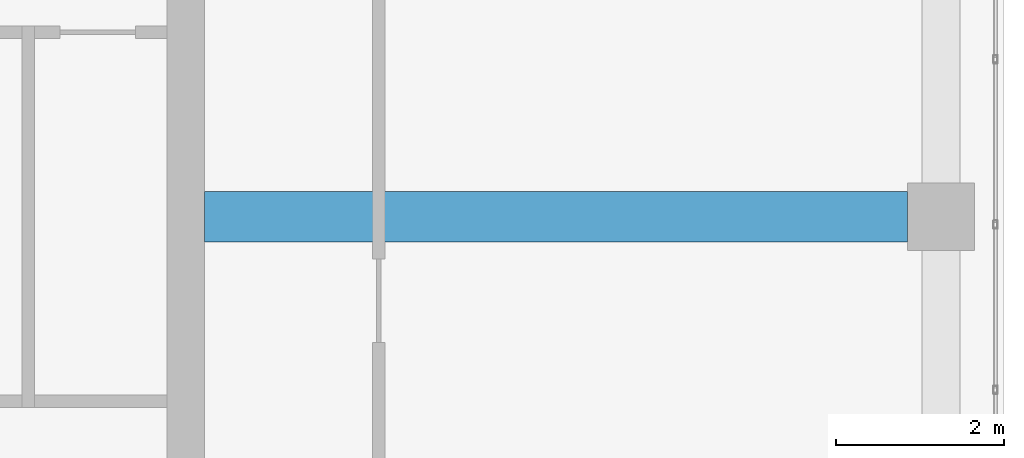
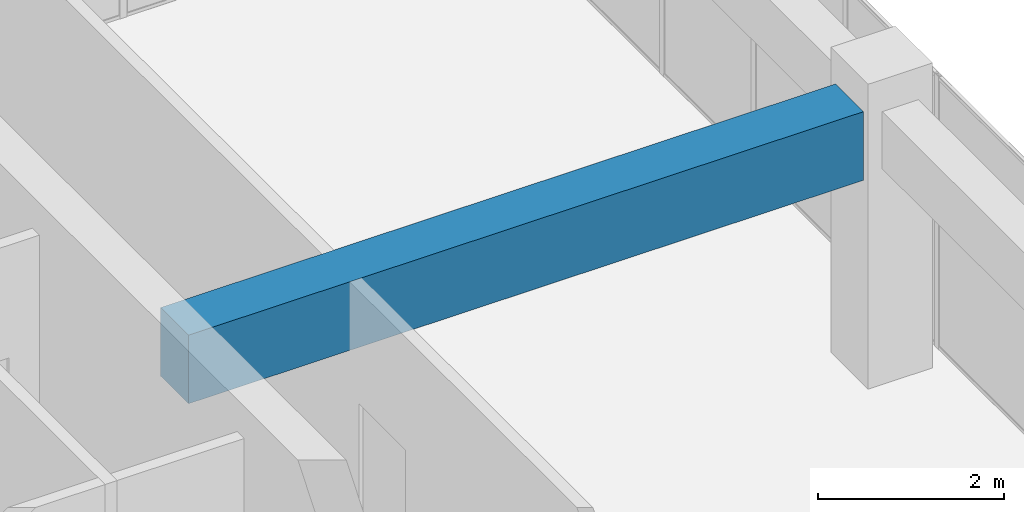
# One storey, part 27 of 52: 1 beam.
"""IFC4 building model written with IfcOpenShell, lengths in metres."""

from ifc_helpers import new_model, si_unit, direction, frame, origin, origin_2d, place, context, subcontext, project, spatial, rectangle, extrude, material, material_profile, profile_set, type_object, element, save


model = new_model("IFC4")

# Units and contexts
model_context = context("Model", 3, precision=1e-05, world=origin(), true_north=direction((0.0, 1.0)))
body_context = subcontext(model_context, "Body", "Model", "MODEL_VIEW")
ifc_project = project(units=[si_unit("LENGTHUNIT", "METRE"), si_unit("AREAUNIT", "SQUARE_METRE"), si_unit("VOLUMEUNIT", "CUBIC_METRE"), si_unit("PLANEANGLEUNIT", "RADIAN"), si_unit("MASSUNIT", "GRAM", prefix="KILO")], contexts=[model_context])

# Site, building, storey
site_placement = place(None, origin())
site = spatial("IfcSite", under=ifc_project, at=site_placement, CompositionType="ELEMENT")
building_placement = place(site_placement, origin())
building = spatial("IfcBuilding", under=site, at=building_placement, Name="Tuart Plaza Theatre", CompositionType="ELEMENT")
storey_placement = place(building_placement, frame((0.0, 0.0, 25.5)))
storey = spatial("IfcBuildingStorey", under=building, at=storey_placement, Name="L06", CompositionType="ELEMENT", Elevation=25.5)

# Beam
ifc_material = material(Name="Concrete N40 (40 MPa)", Category="concrete")
ifc_material_profile = material_profile(ifc_material, rectangle(XDim=0.60009765625, YDim=0.89990234375, at=origin_2d()), Name="BEAM 600x900 Concrete N40 (40 MPa)")
ifc_profile_set = profile_set([ifc_material_profile], Name="Concrete N40 (40 MPa)")
beam_type = type_object("IfcBeamType", Name="BEAM 600x900 Concrete N40 (40 MPa)", PredefinedType="BEAM", material=ifc_profile_set)
beam_placement = place(storey_placement, frame((141.22509765625, 74.0, 3.1298828125), z_axis=(1.0, 0.0, 0.0), x_axis=(0.0, 1.0, 0.0)))
element("IfcBeam", 1, at=beam_placement, inside=storey, type_object=beam_type, Name="RB235", PredefinedType="BEAM", context=body_context, shape_type="SweptSolid", body=[
    extrude(rectangle(XDim=0.60009765625, YDim=0.89990234375, at=origin_2d()), origin(), (0.0, 0.0, 1.0), 8.375),
])

save(model, "model.ifc")
